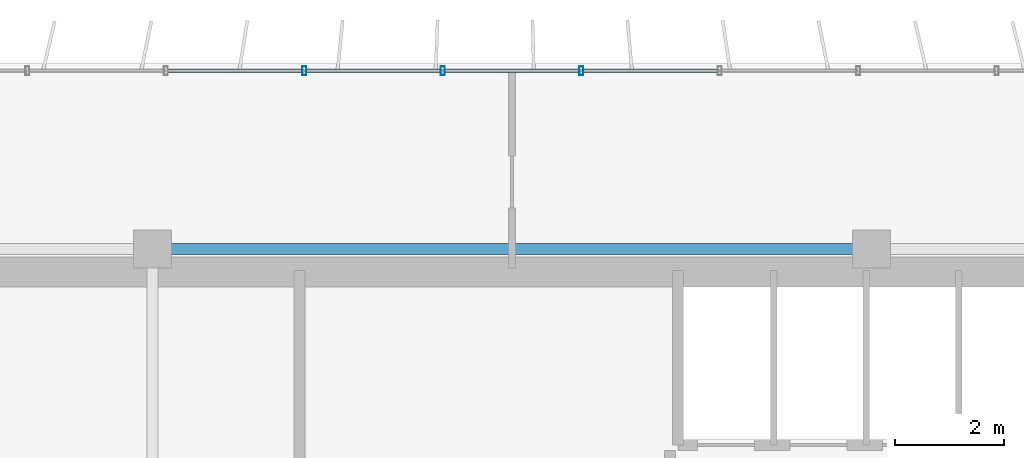
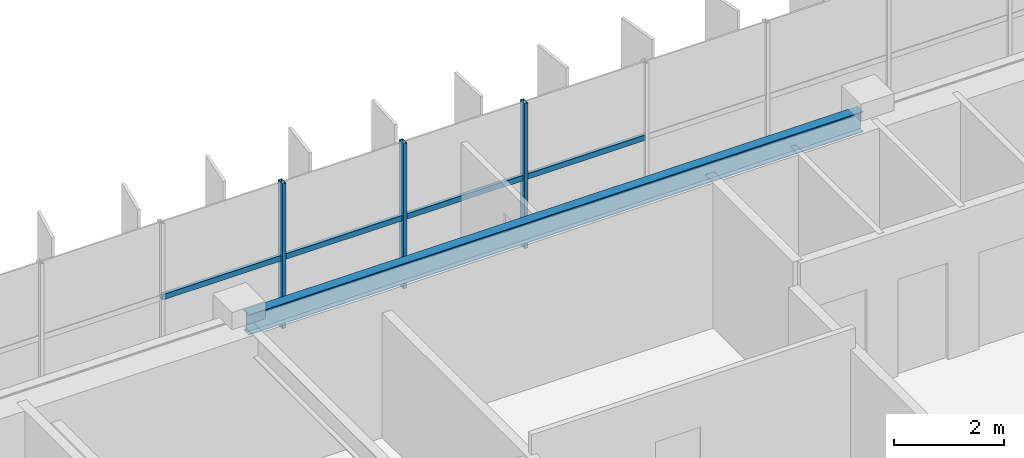
# One storey, part 13 of 27: 7 members, 1 beam, 1 element without a shape of its own.
"""IFC4 building model written with IfcOpenShell, lengths in metres."""

from ifc_helpers import new_model, si_unit, direction, frame, origin, origin_2d, place, context, subcontext, project, spatial, hollow_rectangle, i_section, extrude, source, transform, mapped, material, material_profile, profile_set, type_object, element, aggregate, save


model = new_model("IFC4")

# Units and contexts
model_context = context("Model", 3, precision=1e-05, world=origin(), true_north=direction((0.0, 1.0)))
body_context = subcontext(model_context, "Body", "Model", "MODEL_VIEW")
ifc_project = project(units=[si_unit("LENGTHUNIT", "METRE"), si_unit("AREAUNIT", "SQUARE_METRE"), si_unit("VOLUMEUNIT", "CUBIC_METRE"), si_unit("PLANEANGLEUNIT", "RADIAN"), si_unit("MASSUNIT", "GRAM", prefix="KILO")], contexts=[model_context])

# Site, building, storey
site_placement = place(None, origin())
site = spatial("IfcSite", under=ifc_project, at=site_placement, CompositionType="ELEMENT")
building_placement = place(site_placement, origin())
building = spatial("IfcBuilding", under=site, at=building_placement, Name="Trelvane Seafront Commons", CompositionType="ELEMENT")
storey_placement = place(building_placement, frame((0.0, 0.0, 237.300048828125)))
storey = spatial("IfcBuildingStorey", under=building, at=storey_placement, Name="L62", CompositionType="ELEMENT", Elevation=237.300048828125)

# Beam
ifc_material_1 = material(Name="Steel SM355 (S355)", Category="steel")
ifc_material_profile_1 = material_profile(ifc_material_1, i_section(OverallWidth=0.199951171875, OverallDepth=0.449951171875, WebThickness=0.009033203125, FlangeThickness=0.013916015625, at=origin_2d()), Name="H-450x200x9x14")
ifc_profile_set_1 = profile_set([ifc_material_profile_1], Name="Steel SM355 (S355)")
beam_type = type_object("IfcBeamType", Name="STR-SPD-H450", PredefinedType="SPANDREL", material=ifc_profile_set_1)
shared_shape_1 = source(origin(), body_context, "Body", "SweptSolid", [
    extrude(i_section(OverallWidth=0.199951171875, OverallDepth=0.449951171875, WebThickness=0.009033203125, FlangeThickness=0.013916015625, at=origin_2d()), origin(), (0.0, 0.0, 1.0), 12.89990234375),
])
beam_placement = place(storey_placement, frame((30.75, 45.10009765625, 2.994873046875), z_axis=(1.0, 0.0, 0.0), x_axis=(0.0, 1.0, 0.0)))
element("IfcBeam", 1, at=beam_placement, inside=storey, type_object=beam_type, Name="L62 Primary Girder G-25", PredefinedType="SPANDREL", context=body_context, shape_type="MappedRepresentation", body=[
    mapped(shared_shape_1, transform((0.0, 0.0, 0.0), x_axis=(1.0, 0.0, 0.0), y_axis=(0.0, 1.0, 0.0), z_axis=(0.0, 0.0, 1.0), scale=1.0)),
])

# Curtain wall, members
ifc_material_2 = material(Name="Anodised pale-silver aluminium", Category="aluminium")
curtain_wall_type = type_object("IfcCurtainWallType", Name="ARCH-CW5-UPTOWER", PredefinedType="NOTDEFINED", material=ifc_material_2)
curtain_wall_placement = place(storey_placement, origin())
curtain_wall = element("IfcCurtainWall", 2, at=curtain_wall_placement, inside=storey, type_object=curtain_wall_type, Name="CW-L62-0106", PredefinedType="NOTDEFINED")
ifc_material_profile_2 = material_profile(ifc_material_2, hollow_rectangle(XDim=0.070068359375, YDim=0.1201171875, WallThickness=0.00390625, at=origin_2d()), Name="TRAN-70x120x4")
ifc_profile_set_2 = profile_set([ifc_material_profile_2], Name="Anodised pale-silver aluminium")
member_type_1 = type_object("IfcMemberType", Name="ARCH-CW-TRAN-120", PredefinedType="USERDEFINED", material=ifc_profile_set_2)
shared_shape_2 = source(origin(), body_context, "Body", "SweptSolid", [
    extrude(hollow_rectangle(XDim=0.070068359375, YDim=0.1201171875, WallThickness=0.00390625, at=origin_2d()), origin(), (0.0, 0.0, 1.0), 2.51708984375),
])
member_1_placement = place(storey_placement, frame((30.859130859375, 48.3701171875, 1.5458984375), z_axis=(1.0, 0.0, 0.0), x_axis=(0.0, 1.0, 0.0)))
member_1 = element("IfcMember", 3, at=member_1_placement, type_object=member_type_1, Name="CW-L62-0106-T06", ObjectType="TRANSOM", PredefinedType="USERDEFINED", context=body_context, shape_type="MappedRepresentation", body=[
    mapped(shared_shape_2, transform((0.0, 0.0, 0.0), x_axis=(1.0, 0.0, 0.0), y_axis=(0.0, 1.0, 0.0), z_axis=(0.0, 0.0, 1.0), scale=1.0)),
])
member_2_placement = place(storey_placement, frame((35.94140625, 48.3701171875, 1.5458984375), z_axis=(1.0, 0.0, 0.0), x_axis=(0.0, 1.0, 0.0)))
member_2 = element("IfcMember", 4, at=member_2_placement, type_object=member_type_1, Name="CW-L62-0106-T08", ObjectType="TRANSOM", PredefinedType="USERDEFINED", context=body_context, shape_type="MappedRepresentation", body=[
    mapped(shared_shape_2, transform((0.0, 0.0, 0.0), x_axis=(1.0, 0.0, 0.0), y_axis=(0.0, 1.0, 0.0), z_axis=(0.0, 0.0, 1.0), scale=1.0)),
])
member_3_placement = place(storey_placement, frame((38.482666015625, 48.3701171875, 1.5458984375), z_axis=(1.0, 0.0, 0.0), x_axis=(0.0, 1.0, 0.0)))
member_3 = element("IfcMember", 5, at=member_3_placement, type_object=member_type_1, Name="CW-L62-0106-T09", ObjectType="TRANSOM", PredefinedType="USERDEFINED", context=body_context, shape_type="MappedRepresentation", body=[
    mapped(shared_shape_2, transform((0.0, 0.0, 0.0), x_axis=(1.0, 0.0, 0.0), y_axis=(0.0, 1.0, 0.0), z_axis=(0.0, 0.0, 1.0), scale=1.0)),
])
shared_shape_3 = source(origin(), body_context, "Body", "SweptSolid", [
    extrude(hollow_rectangle(XDim=0.070068359375, YDim=0.1201171875, WallThickness=0.00390625, at=origin_2d()), origin(), (0.0, 0.0, 1.0), 2.517333984375),
])
member_4_placement = place(storey_placement, frame((33.400146484375, 48.3701171875, 1.5458984375), z_axis=(1.0, 0.0, 0.0), x_axis=(0.0, 1.0, 0.0)))
member_4 = element("IfcMember", 6, at=member_4_placement, type_object=member_type_1, Name="CW-L62-0106-T07", ObjectType="TRANSOM", PredefinedType="USERDEFINED", context=body_context, shape_type="MappedRepresentation", body=[
    mapped(shared_shape_3, transform((0.0, 0.0, 0.0), x_axis=(1.0, 0.0, 0.0), y_axis=(0.0, 1.0, 0.0), z_axis=(0.0, 0.0, 1.0), scale=1.0)),
])
ifc_material_profile_3 = material_profile(ifc_material_2, hollow_rectangle(XDim=0.074951171875, YDim=0.159912109375, WallThickness=0.00390625, at=origin_2d()), Name="MULL-75x160x4")
ifc_profile_set_3 = profile_set([ifc_material_profile_3], Name="Anodised pale-silver aluminium")
member_type_2 = type_object("IfcMemberType", Name="ARCH-CW-MULL-160", PredefinedType="MULLION", material=ifc_profile_set_3)
shared_shape_4 = source(origin(), body_context, "Body", "SweptSolid", [
    extrude(hollow_rectangle(XDim=0.074951171875, YDim=0.159912109375, WallThickness=0.00390625, at=origin_2d()), origin(), (0.0, 0.0, 1.0), 3.219970703125),
])
member_5_placement = place(storey_placement, frame((33.38818359375, 48.3701171875, 0.0), z_axis=(0.0, 0.0, 1.0), x_axis=(1.0, 0.0, 0.0)))
member_5 = element("IfcMember", 7, at=member_5_placement, type_object=member_type_2, Name="CW-L62-0106-M07", PredefinedType="MULLION", context=body_context, shape_type="MappedRepresentation", body=[
    mapped(shared_shape_4, transform((0.0, 0.0, 0.0), x_axis=(1.0, 0.0, 0.0), y_axis=(0.0, 1.0, 0.0), z_axis=(0.0, 0.0, 1.0), scale=1.0)),
])
member_6_placement = place(storey_placement, frame((35.929443359375, 48.3701171875, 0.0), z_axis=(0.0, 0.0, 1.0), x_axis=(1.0, 0.0, 0.0)))
member_6 = element("IfcMember", 8, at=member_6_placement, type_object=member_type_2, Name="CW-L62-0106-M08", PredefinedType="MULLION", context=body_context, shape_type="MappedRepresentation", body=[
    mapped(shared_shape_4, transform((0.0, 0.0, 0.0), x_axis=(1.0, 0.0, 0.0), y_axis=(0.0, 1.0, 0.0), z_axis=(0.0, 0.0, 1.0), scale=1.0)),
])
member_7_placement = place(storey_placement, frame((38.470703125, 48.3701171875, 0.0), z_axis=(0.0, 0.0, 1.0), x_axis=(1.0, 0.0, 0.0)))
member_7 = element("IfcMember", 9, at=member_7_placement, type_object=member_type_2, Name="CW-L62-0106-M09", PredefinedType="MULLION", context=body_context, shape_type="MappedRepresentation", body=[
    mapped(shared_shape_4, transform((0.0, 0.0, 0.0), x_axis=(1.0, 0.0, 0.0), y_axis=(0.0, 1.0, 0.0), z_axis=(0.0, 0.0, 1.0), scale=1.0)),
])
aggregate(curtain_wall, [member_5, member_6, member_7, member_1, member_4, member_2, member_3])

save(model, "model.ifc")
